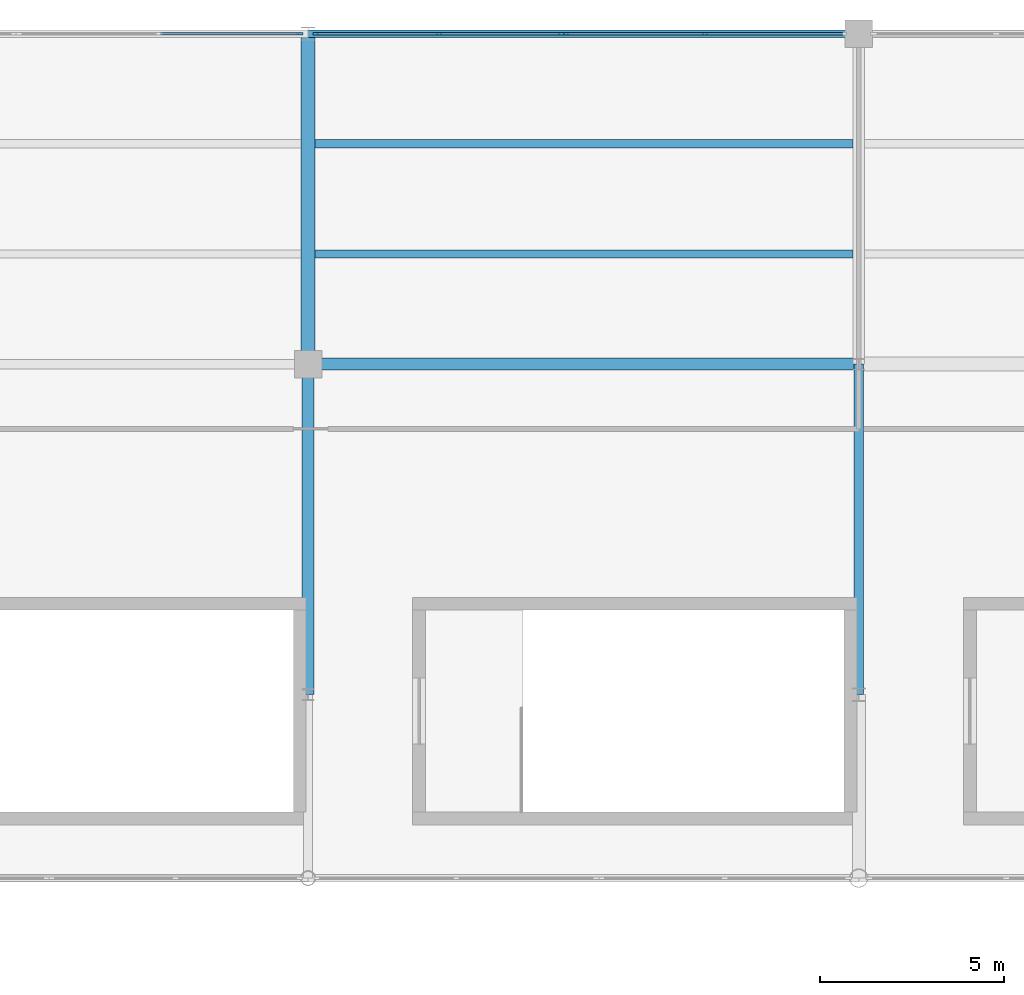
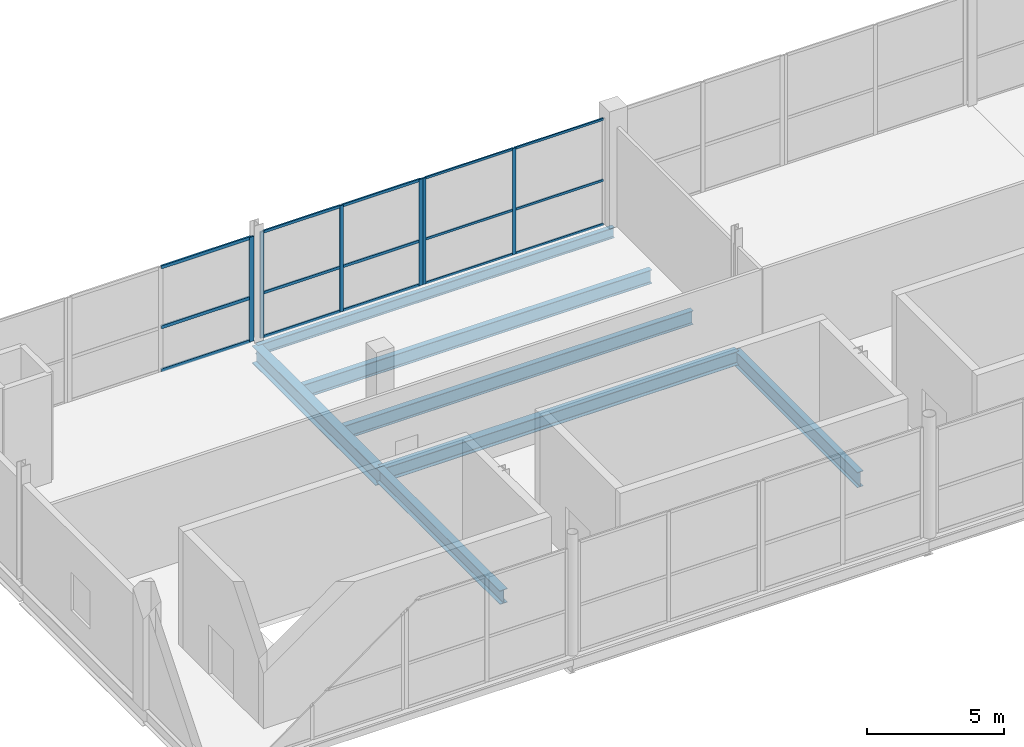
# One storey, part 34 of 119: 21 members, 7 beams, 3 elements without a shape of their own.
"""IFC4 building model written with IfcOpenShell, lengths in metres."""

import ifcopenshell
import ifcopenshell.guid

model = None  # the IFC model being written
_history = None  # IfcOwnerHistory: only IFC2X3 demands one
_inside = {}  # id of a spatial element -> (the spatial element, [elements in it])
_under = {}  # id of a project, library or spatial element -> (it, [spatial elements below it])
_declared = {}  # id of a project -> (the project, [libraries it declares])
_typed = {}  # id of a type object -> (the type object, [elements of that type])
_made_of = {}  # id of a material, layer set ... -> (it, [elements and type objects made of it])


def new_model(schema):
    """Start an empty IFC model of exactly this schema.

    Asked for "IFC4X3", IfcOpenShell would pick the latest addendum, in which some entities
    have other attributes; the version numbers below select the first issue.
    IFC2X3 requires an IfcOwnerHistory on every rooted entity: one is made here for all.
    """
    global model, _history
    if schema == "IFC4X3":
        model = ifcopenshell.file(schema_version=(4, 3, 0, 0))
    else:
        model = ifcopenshell.file(schema=schema)
    _inside.clear()
    _under.clear()
    _declared.clear()
    _typed.clear()
    _made_of.clear()
    _history = None
    if model.schema == "IFC2X3":
        org = make("IfcOrganization", Name="unknown")
        user = make(
            "IfcPersonAndOrganization",
            ThePerson=make("IfcPerson", FamilyName="unknown"),
            TheOrganization=org,
        )
        app = make(
            "IfcApplication",
            ApplicationDeveloper=org,
            Version="unknown",
            ApplicationFullName="unknown",
            ApplicationIdentifier="unknown",
        )
        _history = make(
            "IfcOwnerHistory",
            OwningUser=user,
            OwningApplication=app,
            ChangeAction="ADDED",
            CreationDate=0,
        )
    return model


def make(cls, **values):
    """One entity of the class cls with the attributes given. An attribute that is None is left unset."""
    return model.create_entity(
        cls, **{name: value for name, value in values.items() if value is not None}
    )


def rooted(cls, **values):
    """An entity with a GlobalId (a new one), such as an element, a storey or a relation."""
    return make(cls, GlobalId=ifcopenshell.guid.new(), OwnerHistory=_history, **values)


def si_unit(unit_type, name, prefix=None):
    """IfcSIUnit, for example si_unit("LENGTHUNIT", "METRE", prefix="MILLI")."""
    return make("IfcSIUnit", UnitType=unit_type, Prefix=prefix, Name=name)


def assignment(units):
    """IfcUnitAssignment: the units of a project."""
    return None if units is None else make("IfcUnitAssignment", Units=units)


def point(xyz):
    """IfcCartesianPoint."""
    return None if xyz is None else make("IfcCartesianPoint", Coordinates=xyz)


def direction(xyz):
    """IfcDirection."""
    return None if xyz is None else make("IfcDirection", DirectionRatios=xyz)


def frame(location, z_axis=None, x_axis=None):
    """IfcAxis2Placement3D, a coordinate frame: its origin and axes. An axis left out is left unset."""
    return make(
        "IfcAxis2Placement3D",
        Location=point(location),
        Axis=direction(z_axis),
        RefDirection=direction(x_axis),
    )


def frame_2d(location, x_axis=None):
    """IfcAxis2Placement2D, a coordinate frame in the plane: its origin and x axis."""
    return make(
        "IfcAxis2Placement2D", Location=point(location), RefDirection=direction(x_axis)
    )


def origin():
    """The frame at (0, 0, 0) with its axes left unset."""
    return frame((0.0, 0.0, 0.0))


def origin_2d():
    """The frame at (0, 0) in the plane with its x axis left unset."""
    return frame_2d((0.0, 0.0))


def place(relative_to, where):
    """IfcLocalPlacement: puts the frame where relative to a parent placement (None: the world)."""
    return make(
        "IfcLocalPlacement", PlacementRelTo=relative_to, RelativePlacement=where
    )


def context(
    kind, dimensions, precision=None, world=None, true_north=None, identifier=None
):
    """IfcGeometricRepresentationContext, for example the 3D "Model" context."""
    return make(
        "IfcGeometricRepresentationContext",
        ContextIdentifier=identifier,
        ContextType=kind,
        CoordinateSpaceDimension=dimensions,
        Precision=precision,
        WorldCoordinateSystem=world,
        TrueNorth=true_north,
    )


def subcontext(parent, identifier, kind, view, scale=None):
    """IfcGeometricRepresentationSubContext, for example "Body" below "Model"."""
    return make(
        "IfcGeometricRepresentationSubContext",
        ContextIdentifier=identifier,
        ContextType=kind,
        ParentContext=parent,
        TargetScale=scale,
        TargetView=view,
    )


def project(units=None, contexts=None):
    """IfcProject with its units and contexts."""
    return rooted(
        "IfcProject",
        Name="project",
        RepresentationContexts=contexts,
        UnitsInContext=assignment(units),
    )


def spatial(cls, under=None, at=None, **own):
    """A site, building, storey or space (cls), placed at a placement, below another one or the project."""
    s = rooted(cls, ObjectPlacement=at, **own)
    if under is not None:
        _under.setdefault(under.id(), (under, []))[1].append(s)
    return s


def profile(cls, at=None, kind="AREA", **sizes):
    """A parametric profile (cls). Its sizes go by their IFC names, for example OverallWidth=200.0."""
    return make(cls, ProfileType=kind, Position=at, **sizes)


def rectangle(**sizes):
    """IfcRectangleProfileDef."""
    return profile("IfcRectangleProfileDef", **sizes)


def i_section(**sizes):
    """IfcIShapeProfileDef."""
    return profile("IfcIShapeProfileDef", **sizes)


def extrude(swept, where, along, depth):
    """IfcExtrudedAreaSolid: the profile swept, set in the frame where, extruded along a direction by depth."""
    return make(
        "IfcExtrudedAreaSolid",
        SweptArea=swept,
        Position=where,
        ExtrudedDirection=direction(along),
        Depth=depth,
    )


def shape(context_of_items, identifier, shape_type, items):
    """IfcShapeRepresentation: the items that make up one representation, for example the "Body"."""
    return make(
        "IfcShapeRepresentation",
        ContextOfItems=context_of_items,
        RepresentationIdentifier=identifier,
        RepresentationType=shape_type,
        Items=items,
    )


def material(Name=None, Category=None):
    """IfcMaterial."""
    return make("IfcMaterial", Name=Name, Category=Category)


def layer(
    of_material, thickness, ventilated=None, Name=None, Category=None, Priority=None
):
    """IfcMaterialLayer: one layer of a wall or slab, of a material (None: an air gap)."""
    return make(
        "IfcMaterialLayer",
        Material=of_material,
        LayerThickness=thickness,
        IsVentilated=ventilated,
        Name=Name,
        Category=Category,
        Priority=Priority,
    )


def layer_set(layers, Name=None):
    """IfcMaterialLayerSet."""
    return make("IfcMaterialLayerSet", MaterialLayers=layers, LayerSetName=Name)


def material_profile(
    of_material, cross_section, Name=None, Category=None, Priority=None
):
    """IfcMaterialProfile: a cross section and its material."""
    return make(
        "IfcMaterialProfile",
        Name=Name,
        Material=of_material,
        Profile=cross_section,
        Priority=Priority,
        Category=Category,
    )


def profile_set(profiles, Name=None, composite=None):
    """IfcMaterialProfileSet."""
    return make(
        "IfcMaterialProfileSet",
        Name=Name,
        MaterialProfiles=profiles,
        CompositeProfile=composite,
    )


def made_of(thing, what):
    """Note that an element or type object is made of a material, layer set ...; save() writes the relation."""
    if what is not None:
        _made_of.setdefault(what.id(), (what, []))[1].append(thing)
    return thing


def type_object(cls, material=None, **own):
    """A type object (cls), such as IfcWallType, which elements share."""
    return made_of(rooted(cls, **own), material)


def element(
    cls,
    number,
    at=None,
    inside=None,
    cuts=None,
    type_object=None,
    material=None,
    context=None,
    identifier="Body",
    shape_type=None,
    held_by="IfcProductDefinitionShape",
    body=None,
    shapes=None,
    **own,
):
    """One element of the class cls, such as IfcWall. Its Tag is "e" and its number.

    at: its placement. inside: the storey or other place that contains it. cuts: it is an
    opening in that element (IfcRelVoidsElement). A single representation is given by context,
    identifier, shape_type and body (its items); several are given by shapes. held_by: the class
    of the entity that holds the representations. save() writes the other relations.
    """
    e = rooted(cls, Tag="e%d" % number, ObjectPlacement=at, **own)
    if body is not None:
        shapes = [shape(context, identifier, shape_type, body)]
    if shapes is not None:
        e.Representation = make(held_by, Representations=shapes)
    if inside is not None:
        _inside.setdefault(inside.id(), (inside, []))[1].append(e)
    if cuts is not None:
        rooted(
            "IfcRelVoidsElement", RelatingBuildingElement=cuts, RelatedOpeningElement=e
        )
    if type_object is not None:
        _typed.setdefault(type_object.id(), (type_object, []))[1].append(e)
    return made_of(e, material)


def aggregate(whole, parts):
    """IfcRelAggregates: a whole, such as a stair, and the parts it consists of."""
    return rooted("IfcRelAggregates", RelatingObject=whole, RelatedObjects=parts)


def save(model, path):
    """Write the relations noted so far, then the file.

    IfcRelAggregates (storeys below a building ...), IfcRelContainedInSpatialStructure (elements
    in a storey), IfcRelDefinesByType, IfcRelAssociatesMaterial and IfcRelDeclares: one each for
    every whole, place, type object, material and project.
    """
    for whole, parts in _under.values():
        aggregate(whole, parts)
    for where, things in _inside.values():
        rooted(
            "IfcRelContainedInSpatialStructure",
            RelatedElements=things,
            RelatingStructure=where,
        )
    for kind, things in _typed.values():
        rooted("IfcRelDefinesByType", RelatedObjects=things, RelatingType=kind)
    for what, things in _made_of.values():
        rooted("IfcRelAssociatesMaterial", RelatedObjects=things, RelatingMaterial=what)
    for by, libraries in _declared.values():
        rooted("IfcRelDeclares", RelatingContext=by, RelatedDefinitions=libraries)
    model.write(path)


model = new_model("IFC4")

# Units and contexts
model_context = context("Model", 3, precision=1e-05, world=origin(), true_north=direction((0.0, 1.0)))
body_context = subcontext(model_context, "Body", "Model", "MODEL_VIEW")
ifc_project = project(units=[si_unit("LENGTHUNIT", "METRE"), si_unit("AREAUNIT", "SQUARE_METRE"), si_unit("VOLUMEUNIT", "CUBIC_METRE"), si_unit("PLANEANGLEUNIT", "RADIAN"), si_unit("MASSUNIT", "GRAM", prefix="KILO")], contexts=[model_context])

# Site, building, storey
site_placement = place(None, origin())
site = spatial("IfcSite", under=ifc_project, at=site_placement, CompositionType="ELEMENT")
building_placement = place(site_placement, origin())
building = spatial("IfcBuilding", under=site, at=building_placement, Name="Qamarlyn Nura Convention Centre", CompositionType="ELEMENT")
storey_placement = place(building_placement, frame((0.0, 0.0, 5.39990234375)))
storey = spatial("IfcBuildingStorey", under=building, at=storey_placement, Name="L01", CompositionType="ELEMENT", Elevation=5.39990234375)

# Beams
ifc_material_1 = material(Name="Steel ASTM A992", Category="steel")
ifc_material_profile_1 = material_profile(ifc_material_1, i_section(OverallWidth=0.323974609375, OverallDepth=0.611083984375, WebThickness=0.0126953125, FlangeThickness=0.01904296875, FilletRadius=0.01611328125, at=origin_2d()), Name="W610X155")
ifc_profile_set_1 = profile_set([ifc_material_profile_1], Name="Steel ASTM A992")
beam_type_1 = type_object("IfcBeamType", Name="BM-GIRD-610", PredefinedType="BEAM", material=ifc_profile_set_1)
beam_1_placement = place(storey_placement, frame((30.0, 117.0, -0.525390625), z_axis=(1.0, 0.0, 0.0), x_axis=(0.0, 1.0, 0.0)))
element("IfcBeam", 1, at=beam_1_placement, inside=storey, type_object=beam_type_1, Name="L01 girder P 3-4", PredefinedType="BEAM", context=body_context, shape_type="SweptSolid", body=[
    extrude(i_section(OverallWidth=0.323974609375, OverallDepth=0.611083984375, WebThickness=0.0126953125, FlangeThickness=0.01904296875, FilletRadius=0.01611328125, at=origin_2d()), origin(), (0.0, 0.0, 1.0), 15.0),
])
beam_2_placement = place(storey_placement, frame((30.0, 108.0, -0.525390625), z_axis=(0.0, 1.0, 0.0), x_axis=(-1.0, 0.0, 0.0)))
element("IfcBeam", 2, at=beam_2_placement, inside=storey, type_object=beam_type_1, Name="L01 girder 3 N-P", PredefinedType="BEAM", context=body_context, shape_type="SweptSolid", body=[
    extrude(i_section(OverallWidth=0.323974609375, OverallDepth=0.611083984375, WebThickness=0.0126953125, FlangeThickness=0.01904296875, FilletRadius=0.01611328125, at=origin_2d()), origin(), (0.0, 0.0, 1.0), 9.0),
])
ifc_material_profile_2 = material_profile(ifc_material_1, i_section(OverallWidth=0.25390625, OverallDepth=0.68408203125, WebThickness=0.012451171875, FlangeThickness=0.01904296875, FilletRadius=0.01806640625, at=origin_2d()), Name="W690X140")
ifc_profile_set_2 = profile_set([ifc_material_profile_2], Name="Steel ASTM A992")
beam_type_2 = type_object("IfcBeamType", Name="BM-GIRD-690B", PredefinedType="BEAM", material=ifc_profile_set_2)
beam_3_placement = place(storey_placement, frame((45.0, 108.0, -0.56201171875), z_axis=(0.0, 1.0, 0.0), x_axis=(-1.0, 0.0, 0.0)))
element("IfcBeam", 3, at=beam_3_placement, inside=storey, type_object=beam_type_2, Name="L01 girder 4 N-P", PredefinedType="BEAM", context=body_context, shape_type="SweptSolid", body=[
    extrude(i_section(OverallWidth=0.25390625, OverallDepth=0.68408203125, WebThickness=0.012451171875, FlangeThickness=0.01904296875, FilletRadius=0.01806640625, at=origin_2d()), origin(), (0.0, 0.0, 1.0), 9.0),
])
ifc_material_profile_3 = material_profile(ifc_material_1, i_section(OverallWidth=0.381103515625, OverallDepth=0.77294921875, WebThickness=0.0166015625, FlangeThickness=0.027587890625, FilletRadius=0.02001953125, at=origin_2d()), Name="W760X257")
ifc_profile_set_3 = profile_set([ifc_material_profile_3], Name="Steel ASTM A992")
beam_type_3 = type_object("IfcBeamType", Name="BM-GIRD-760", PredefinedType="BEAM", material=ifc_profile_set_3)
beam_4_placement = place(storey_placement, frame((30.0, 117.0, -0.6064453125), z_axis=(0.0, 1.0, 0.0), x_axis=(-1.0, 0.0, 0.0)))
element("IfcBeam", 4, at=beam_4_placement, inside=storey, type_object=beam_type_3, Name="L01 girder 3 P-Q", PredefinedType="BEAM", context=body_context, shape_type="SweptSolid", body=[
    extrude(i_section(OverallWidth=0.381103515625, OverallDepth=0.77294921875, WebThickness=0.0166015625, FlangeThickness=0.027587890625, FilletRadius=0.02001953125, at=origin_2d()), origin(), (0.0, 0.0, 1.0), 9.0),
])
ifc_material_profile_4 = material_profile(ifc_material_1, i_section(OverallWidth=0.22802734375, OverallDepth=0.60791015625, WebThickness=0.01123046875, FlangeThickness=0.017333984375, FilletRadius=0.01611328125, at=origin_2d()), Name="W610X113")
ifc_profile_set_4 = profile_set([ifc_material_profile_4], Name="Steel ASTM A992")
beam_type_4 = type_object("IfcBeamType", Name="BM-JOIST-610", PredefinedType="JOIST", material=ifc_profile_set_4)
for number, where, z_axis, x_axis, name in (
    (5, (30.1904296875, 120.0, -0.52392578125), (1.0, 0.0, 0.0), (0.0, 1.0, 0.0), "L01 composite joist 3-4/P+1"),
    (6, (30.1904296875, 123.0, -0.52392578125), (1.0, 0.0, 0.0), (0.0, 1.0, 0.0), "L01 composite joist 3-4/P+2"),
):
    element("IfcBeam", number, at=place(storey_placement, frame(where, z_axis=z_axis, x_axis=x_axis)), inside=storey, type_object=beam_type_4, Name=name, PredefinedType="JOIST", context=body_context, shape_type="SweptSolid", body=[
        extrude(i_section(OverallWidth=0.22802734375, OverallDepth=0.60791015625, WebThickness=0.01123046875, FlangeThickness=0.017333984375, FilletRadius=0.01611328125, at=origin_2d()), origin(), (0.0, 0.0, 1.0), 14.6474609375),
    ])
ifc_material_profile_5 = material_profile(ifc_material_1, i_section(OverallWidth=0.193115234375, OverallDepth=0.466064453125, WebThickness=0.011474609375, FlangeThickness=0.01904296875, FilletRadius=0.012939453125, at=origin_2d()), Name="W460X97")
ifc_profile_set_5 = profile_set([ifc_material_profile_5], Name="Steel ASTM A992")
beam_type_5 = type_object("IfcBeamType", Name="BM-SPAN-460", PredefinedType="SPANDREL", material=ifc_profile_set_5)
beam_5_placement = place(storey_placement, frame((30.0, 126.0, -0.452880859375), z_axis=(1.0, 0.0, 0.0), x_axis=(0.0, 1.0, 0.0)))
element("IfcBeam", 7, at=beam_5_placement, inside=storey, type_object=beam_type_5, Name="L01 girder Q 3-4", PredefinedType="SPANDREL", context=body_context, shape_type="SweptSolid", body=[
    extrude(i_section(OverallWidth=0.193115234375, OverallDepth=0.466064453125, WebThickness=0.011474609375, FlangeThickness=0.01904296875, FilletRadius=0.012939453125, at=origin_2d()), origin(), (0.0, 0.0, 1.0), 15.0),
])

# Curtain wall, members
ifc_material_2 = material(Name="Double-silver low-E insulated glass", Category="glass")
ifc_layer_1 = layer(ifc_material_2, 0.179931640625, Name="CW-UNIT-46")
ifc_layer_set_1 = layer_set([ifc_layer_1], Name="Double-silver low-E insulated glass")
curtain_wall_type_1 = type_object("IfcCurtainWallType", Name="CW-UNIT-46", PredefinedType="NOTDEFINED", material=ifc_layer_set_1)
curtain_wall_1_placement = place(storey_placement, origin())
curtain_wall_1 = element("IfcCurtainWall", 8, at=curtain_wall_1_placement, inside=storey, type_object=curtain_wall_type_1, Name="L01 unitised curtain wall NS-N2-1B", PredefinedType="NOTDEFINED")
ifc_material_3 = material(Name="Champagne-anodised marine aluminium", Category="aluminium")
ifc_material_profile_6 = material_profile(ifc_material_3, rectangle(XDim=0.06005859375, YDim=0.139892578125, at=origin_2d()), Name="ALU MULLION 60x140")
ifc_profile_set_6 = profile_set([ifc_material_profile_6], Name="Champagne-anodised marine aluminium")
member_type_1 = type_object("IfcMemberType", Name="CWM-140", PredefinedType="MULLION", material=ifc_profile_set_6)
member_1_placement = place(storey_placement, frame((37.04296875, 126.0, 0.0), z_axis=(0.0, 0.0, 1.0), x_axis=(0.0, 1.0, 0.0)))
member_1 = element("IfcMember", 9, at=member_1_placement, type_object=member_type_1, Name="CW46 mullion 1", PredefinedType="MULLION", context=body_context, shape_type="SweptSolid", body=[
    extrude(rectangle(XDim=0.06005859375, YDim=0.139892578125, at=origin_2d()), origin(), (0.0, 0.0, 1.0), 4.72412109375),
])
member_2_placement = place(storey_placement, frame((40.81884765625, 126.0, 0.0), z_axis=(0.0, 0.0, 1.0), x_axis=(0.0, 1.0, 0.0)))
member_2 = element("IfcMember", 10, at=member_2_placement, type_object=member_type_1, Name="CW46 mullion 2", PredefinedType="MULLION", context=body_context, shape_type="SweptSolid", body=[
    extrude(rectangle(XDim=0.06005859375, YDim=0.139892578125, at=origin_2d()), origin(), (0.0, 0.0, 1.0), 4.72412109375),
])

ifc_layer_2 = layer(ifc_material_2, 0.179931640625, Name="CW-UNIT-45")
ifc_layer_set_2 = layer_set([ifc_layer_2], Name="Double-silver low-E insulated glass")
curtain_wall_type_2 = type_object("IfcCurtainWallType", Name="CW-UNIT-45", PredefinedType="NOTDEFINED", material=ifc_layer_set_2)
curtain_wall_2_placement = place(storey_placement, origin())
curtain_wall_2 = element("IfcCurtainWall", 11, at=curtain_wall_2_placement, inside=storey, type_object=curtain_wall_type_2, Name="L01 unitised curtain wall NS-N2-1A", PredefinedType="NOTDEFINED")
ifc_material_profile_7 = material_profile(ifc_material_3, rectangle(XDim=0.06494140625, YDim=0.159912109375, at=origin_2d()), Name="ALU MULLION 65x160")
ifc_profile_set_7 = profile_set([ifc_material_profile_7], Name="Champagne-anodised marine aluminium")
member_type_2 = type_object("IfcMemberType", Name="CWM-160", PredefinedType="MULLION", material=ifc_profile_set_7)
member_3_placement = place(storey_placement, frame((30.219482421875, 126.0, 0.0), z_axis=(0.0, 0.0, 1.0), x_axis=(0.0, 1.0, 0.0)))
member_3 = element("IfcMember", 12, at=member_3_placement, type_object=member_type_2, Name="CW45 mullion 1", PredefinedType="MULLION", context=body_context, shape_type="SweptSolid", body=[
    extrude(rectangle(XDim=0.06494140625, YDim=0.159912109375, at=origin_2d()), origin(), (0.0, 0.0, 1.0), 4.72412109375),
])
member_4_placement = place(storey_placement, frame((33.56005859375, 126.0, 0.0), z_axis=(0.0, 0.0, 1.0), x_axis=(0.0, 1.0, 0.0)))
member_4 = element("IfcMember", 13, at=member_4_placement, type_object=member_type_2, Name="CW45 mullion 2", PredefinedType="MULLION", context=body_context, shape_type="SweptSolid", body=[
    extrude(rectangle(XDim=0.06494140625, YDim=0.159912109375, at=origin_2d()), origin(), (0.0, 0.0, 1.0), 4.72412109375),
])
member_5_placement = place(storey_placement, frame((36.900390625, 126.0, 0.0), z_axis=(0.0, 0.0, 1.0), x_axis=(0.0, 1.0, 0.0)))
member_5 = element("IfcMember", 14, at=member_5_placement, type_object=member_type_2, Name="CW45 mullion 3", PredefinedType="MULLION", context=body_context, shape_type="SweptSolid", body=[
    extrude(rectangle(XDim=0.06494140625, YDim=0.159912109375, at=origin_2d()), origin(), (0.0, 0.0, 1.0), 4.72412109375),
])

# Curtain wall, member
ifc_layer_3 = layer(ifc_material_2, 0.179931640625, Name="CW-UNIT-44")
ifc_layer_set_3 = layer_set([ifc_layer_3], Name="Double-silver low-E insulated glass")
curtain_wall_type_3 = type_object("IfcCurtainWallType", Name="CW-UNIT-44", PredefinedType="NOTDEFINED", material=ifc_layer_set_3)
curtain_wall_3_placement = place(storey_placement, origin())
curtain_wall_3 = element("IfcCurtainWall", 15, at=curtain_wall_3_placement, inside=storey, type_object=curtain_wall_type_3, Name="L01 unitised curtain wall NS-N1-1B", PredefinedType="NOTDEFINED")
ifc_material_profile_8 = material_profile(ifc_material_3, rectangle(XDim=0.070068359375, YDim=0.179931640625, at=origin_2d()), Name="ALU MULLION 70x180")
ifc_profile_set_8 = profile_set([ifc_material_profile_8], Name="Champagne-anodised marine aluminium")
member_type_3 = type_object("IfcMemberType", Name="CWM-180", PredefinedType="MULLION", material=ifc_profile_set_8)
member_6_placement = place(storey_placement, frame((29.778076171875, 126.0, 0.0), z_axis=(0.0, 0.0, 1.0), x_axis=(0.0, 1.0, 0.0)))
member_6 = element("IfcMember", 16, at=member_6_placement, type_object=member_type_3, Name="CW44 mullion 3", PredefinedType="MULLION", context=body_context, shape_type="SweptSolid", body=[
    extrude(rectangle(XDim=0.070068359375, YDim=0.179931640625, at=origin_2d()), origin(), (0.0, 0.0, 1.0), 4.651123046875),
])

# Member
ifc_material_profile_9 = material_profile(ifc_material_3, rectangle(XDim=0.06005859375, YDim=0.10009765625, at=origin_2d()), Name="ALU TRANSOM 60x100")
ifc_profile_set_9 = profile_set([ifc_material_profile_9], Name="Champagne-anodised marine aluminium")
member_type_4 = type_object("IfcMemberType", Name="CWT-100", PredefinedType="USERDEFINED", material=ifc_profile_set_9)
member_7_placement = place(storey_placement, frame((37.072998046875, 126.0, 0.030029296875), z_axis=(1.0, 0.0, 0.0), x_axis=(0.0, 1.0, 0.0)))
member_7 = element("IfcMember", 17, at=member_7_placement, type_object=member_type_4, Name="CW46 transom 1.1", ObjectType="TRANSOM", PredefinedType="USERDEFINED", context=body_context, shape_type="SweptSolid", body=[
    extrude(rectangle(XDim=0.06005859375, YDim=0.10009765625, at=origin_2d()), origin(), (0.0, 0.0, 1.0), 3.716064453125),
])

member_8_placement = place(storey_placement, frame((37.072998046875, 126.0, 1.984130859375), z_axis=(1.0, 0.0, 0.0), x_axis=(0.0, 1.0, 0.0)))
member_8 = element("IfcMember", 18, at=member_8_placement, type_object=member_type_4, Name="CW46 transom 1.2", ObjectType="TRANSOM", PredefinedType="USERDEFINED", context=body_context, shape_type="SweptSolid", body=[
    extrude(rectangle(XDim=0.06005859375, YDim=0.10009765625, at=origin_2d()), origin(), (0.0, 0.0, 1.0), 3.716064453125),
])

member_9_placement = place(storey_placement, frame((37.072998046875, 126.0, 4.694091796875), z_axis=(1.0, 0.0, 0.0), x_axis=(0.0, 1.0, 0.0)))
member_9 = element("IfcMember", 19, at=member_9_placement, type_object=member_type_4, Name="CW46 transom 1.3", ObjectType="TRANSOM", PredefinedType="USERDEFINED", context=body_context, shape_type="SweptSolid", body=[
    extrude(rectangle(XDim=0.06005859375, YDim=0.10009765625, at=origin_2d()), origin(), (0.0, 0.0, 1.0), 3.716064453125),
])

member_10_placement = place(storey_placement, frame((40.848876953125, 126.0, 0.030029296875), z_axis=(1.0, 0.0, 0.0), x_axis=(0.0, 1.0, 0.0)))
member_10 = element("IfcMember", 20, at=member_10_placement, type_object=member_type_4, Name="CW46 transom 2.1", ObjectType="TRANSOM", PredefinedType="USERDEFINED", context=body_context, shape_type="SweptSolid", body=[
    extrude(rectangle(XDim=0.06005859375, YDim=0.10009765625, at=origin_2d()), origin(), (0.0, 0.0, 1.0), 3.716064453125),
])

member_11_placement = place(storey_placement, frame((40.848876953125, 126.0, 1.984130859375), z_axis=(1.0, 0.0, 0.0), x_axis=(0.0, 1.0, 0.0)))
member_11 = element("IfcMember", 21, at=member_11_placement, type_object=member_type_4, Name="CW46 transom 2.2", ObjectType="TRANSOM", PredefinedType="USERDEFINED", context=body_context, shape_type="SweptSolid", body=[
    extrude(rectangle(XDim=0.06005859375, YDim=0.10009765625, at=origin_2d()), origin(), (0.0, 0.0, 1.0), 3.716064453125),
])

member_12_placement = place(storey_placement, frame((40.848876953125, 126.0, 4.694091796875), z_axis=(1.0, 0.0, 0.0), x_axis=(0.0, 1.0, 0.0)))
member_12 = element("IfcMember", 22, at=member_12_placement, type_object=member_type_4, Name="CW46 transom 2.3", ObjectType="TRANSOM", PredefinedType="USERDEFINED", context=body_context, shape_type="SweptSolid", body=[
    extrude(rectangle(XDim=0.06005859375, YDim=0.10009765625, at=origin_2d()), origin(), (0.0, 0.0, 1.0), 3.716064453125),
])

aggregate(curtain_wall_1, [member_1, member_2, member_7, member_8, member_9, member_10, member_11, member_12])

ifc_material_profile_10 = material_profile(ifc_material_3, rectangle(XDim=0.06494140625, YDim=0.1201171875, at=origin_2d()), Name="ALU TRANSOM 65x120")
ifc_profile_set_10 = profile_set([ifc_material_profile_10], Name="Champagne-anodised marine aluminium")
member_type_5 = type_object("IfcMemberType", Name="CWT-120", PredefinedType="USERDEFINED", material=ifc_profile_set_10)
member_13_placement = place(storey_placement, frame((30.251953125, 126.0, 0.03271484375), z_axis=(1.0, 0.0, 0.0), x_axis=(0.0, 1.0, 0.0)))
member_13 = element("IfcMember", 23, at=member_13_placement, type_object=member_type_5, Name="CW45 transom 1.1", ObjectType="TRANSOM", PredefinedType="USERDEFINED", context=body_context, shape_type="SweptSolid", body=[
    extrude(rectangle(XDim=0.06494140625, YDim=0.1201171875, at=origin_2d()), origin(), (0.0, 0.0, 1.0), 3.275390625),
])

member_14_placement = place(storey_placement, frame((30.251953125, 126.0, 1.984130859375), z_axis=(1.0, 0.0, 0.0), x_axis=(0.0, 1.0, 0.0)))
member_14 = element("IfcMember", 24, at=member_14_placement, type_object=member_type_5, Name="CW45 transom 1.2", ObjectType="TRANSOM", PredefinedType="USERDEFINED", context=body_context, shape_type="SweptSolid", body=[
    extrude(rectangle(XDim=0.06494140625, YDim=0.1201171875, at=origin_2d()), origin(), (0.0, 0.0, 1.0), 3.275390625),
])

member_15_placement = place(storey_placement, frame((30.251953125, 126.0, 4.691650390625), z_axis=(1.0, 0.0, 0.0), x_axis=(0.0, 1.0, 0.0)))
member_15 = element("IfcMember", 25, at=member_15_placement, type_object=member_type_5, Name="CW45 transom 1.3", ObjectType="TRANSOM", PredefinedType="USERDEFINED", context=body_context, shape_type="SweptSolid", body=[
    extrude(rectangle(XDim=0.06494140625, YDim=0.1201171875, at=origin_2d()), origin(), (0.0, 0.0, 1.0), 3.275390625),
])

member_16_placement = place(storey_placement, frame((33.592529296875, 126.0, 0.03271484375), z_axis=(1.0, 0.0, 0.0), x_axis=(0.0, 1.0, 0.0)))
member_16 = element("IfcMember", 26, at=member_16_placement, type_object=member_type_5, Name="CW45 transom 2.1", ObjectType="TRANSOM", PredefinedType="USERDEFINED", context=body_context, shape_type="SweptSolid", body=[
    extrude(rectangle(XDim=0.06494140625, YDim=0.1201171875, at=origin_2d()), origin(), (0.0, 0.0, 1.0), 3.275390625),
])

member_17_placement = place(storey_placement, frame((33.592529296875, 126.0, 1.984130859375), z_axis=(1.0, 0.0, 0.0), x_axis=(0.0, 1.0, 0.0)))
member_17 = element("IfcMember", 27, at=member_17_placement, type_object=member_type_5, Name="CW45 transom 2.2", ObjectType="TRANSOM", PredefinedType="USERDEFINED", context=body_context, shape_type="SweptSolid", body=[
    extrude(rectangle(XDim=0.06494140625, YDim=0.1201171875, at=origin_2d()), origin(), (0.0, 0.0, 1.0), 3.275390625),
])

member_18_placement = place(storey_placement, frame((33.592529296875, 126.0, 4.691650390625), z_axis=(1.0, 0.0, 0.0), x_axis=(0.0, 1.0, 0.0)))
member_18 = element("IfcMember", 28, at=member_18_placement, type_object=member_type_5, Name="CW45 transom 2.3", ObjectType="TRANSOM", PredefinedType="USERDEFINED", context=body_context, shape_type="SweptSolid", body=[
    extrude(rectangle(XDim=0.06494140625, YDim=0.1201171875, at=origin_2d()), origin(), (0.0, 0.0, 1.0), 3.275390625),
])

aggregate(curtain_wall_2, [member_3, member_4, member_5, member_13, member_14, member_15, member_16, member_17, member_18])

ifc_material_profile_11 = material_profile(ifc_material_3, rectangle(XDim=0.070068359375, YDim=0.139892578125, at=origin_2d()), Name="ALU TRANSOM 70x140")
ifc_profile_set_11 = profile_set([ifc_material_profile_11], Name="Champagne-anodised marine aluminium")
member_type_6 = type_object("IfcMemberType", Name="CWT-140", PredefinedType="USERDEFINED", material=ifc_profile_set_11)
member_19_placement = place(storey_placement, frame((25.98291015625, 126.0, 0.03515625), z_axis=(1.0, 0.0, 0.0), x_axis=(0.0, 1.0, 0.0)))
member_19 = element("IfcMember", 29, at=member_19_placement, type_object=member_type_6, Name="CW44 transom 2.1", ObjectType="TRANSOM", PredefinedType="USERDEFINED", context=body_context, shape_type="SweptSolid", body=[
    extrude(rectangle(XDim=0.070068359375, YDim=0.139892578125, at=origin_2d()), origin(), (0.0, 0.0, 1.0), 3.760009765625),
])

member_20_placement = place(storey_placement, frame((25.98291015625, 126.0, 1.953125), z_axis=(1.0, 0.0, 0.0), x_axis=(0.0, 1.0, 0.0)))
member_20 = element("IfcMember", 30, at=member_20_placement, type_object=member_type_6, Name="CW44 transom 2.2", ObjectType="TRANSOM", PredefinedType="USERDEFINED", context=body_context, shape_type="SweptSolid", body=[
    extrude(rectangle(XDim=0.070068359375, YDim=0.139892578125, at=origin_2d()), origin(), (0.0, 0.0, 1.0), 3.760009765625),
])

member_21_placement = place(storey_placement, frame((25.98291015625, 126.0, 4.6162109375), z_axis=(1.0, 0.0, 0.0), x_axis=(0.0, 1.0, 0.0)))
member_21 = element("IfcMember", 31, at=member_21_placement, type_object=member_type_6, Name="CW44 transom 2.3", ObjectType="TRANSOM", PredefinedType="USERDEFINED", context=body_context, shape_type="SweptSolid", body=[
    extrude(rectangle(XDim=0.070068359375, YDim=0.139892578125, at=origin_2d()), origin(), (0.0, 0.0, 1.0), 3.760009765625),
])

aggregate(curtain_wall_3, [member_6, member_19, member_20, member_21])

save(model, "model.ifc")
